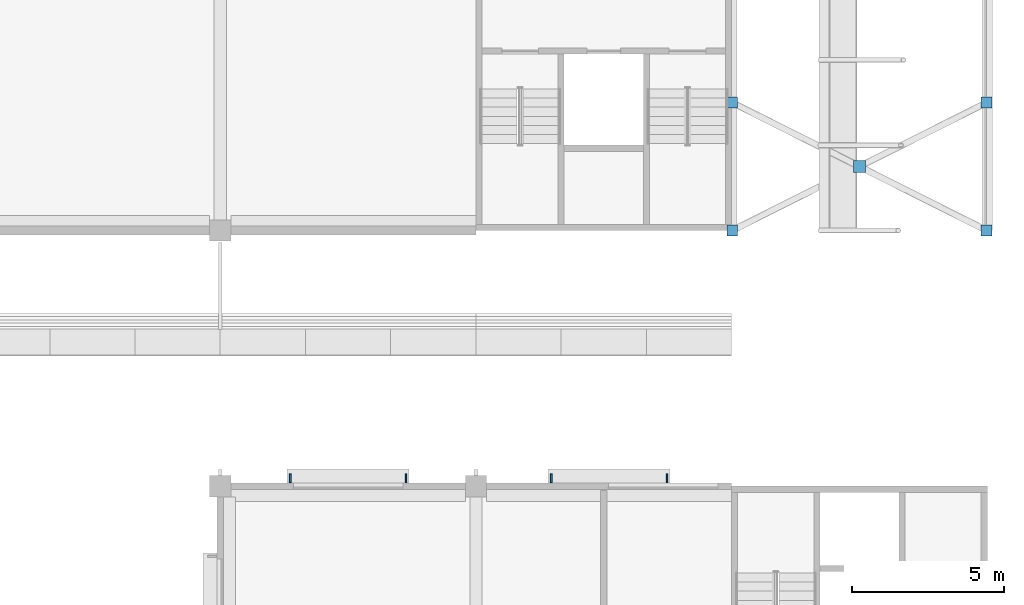
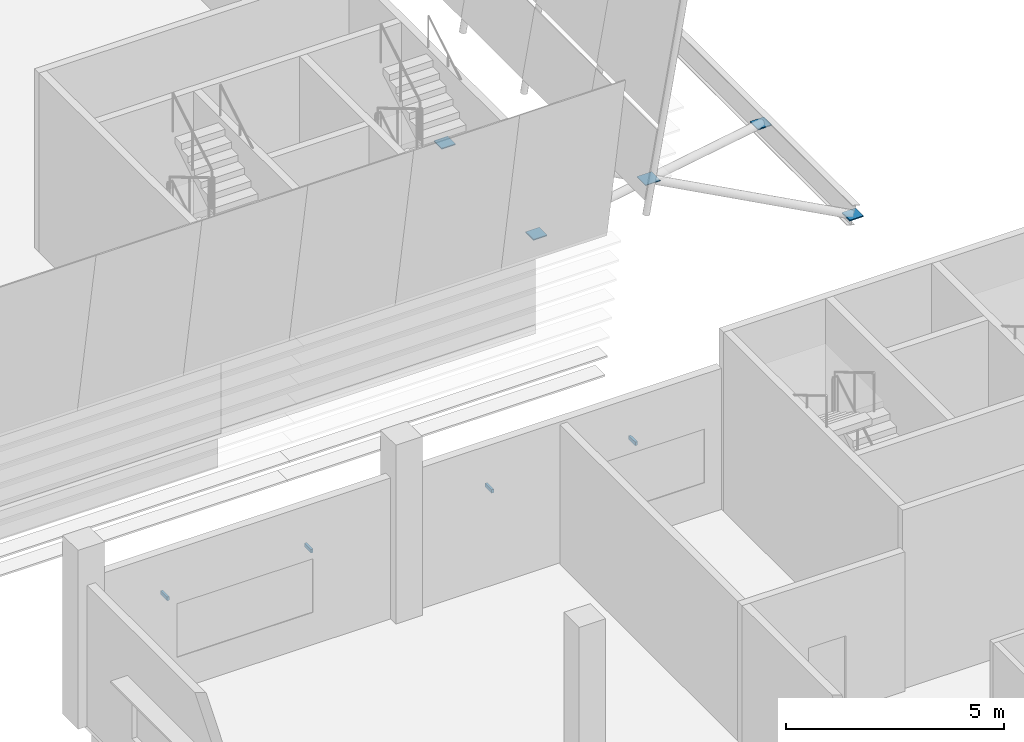
# One storey, part 42 of 82: 9 discrete accessories.
"""IFC4 building model written with IfcOpenShell, lengths in metres."""

from ifc_helpers import new_model, si_unit, direction, frame, origin, origin_2d, place, context, subcontext, project, spatial, rectangle, extrude, material, type_object, element, save


model = new_model("IFC4")

# Units and contexts
model_context = context("Model", 3, precision=1e-05, world=origin(), true_north=direction((0.0, 1.0)))
body_context = subcontext(model_context, "Body", "Model", "MODEL_VIEW")
ifc_project = project(units=[si_unit("LENGTHUNIT", "METRE"), si_unit("AREAUNIT", "SQUARE_METRE"), si_unit("VOLUMEUNIT", "CUBIC_METRE"), si_unit("PLANEANGLEUNIT", "RADIAN"), si_unit("MASSUNIT", "GRAM", prefix="KILO")], contexts=[model_context])

# Site, building, storey
site_placement = place(None, origin())
site = spatial("IfcSite", under=ifc_project, at=site_placement, CompositionType="ELEMENT")
building_placement = place(site_placement, origin())
building = spatial("IfcBuilding", under=site, at=building_placement, Name="Almond Square Museum", CompositionType="ELEMENT")
storey_placement = place(building_placement, frame((0.0, 0.0, 20.0)))
storey = spatial("IfcBuildingStorey", under=building, at=storey_placement, Name="L03", CompositionType="ELEMENT", Elevation=20.0)

# Discrete accessories
ifc_material_1 = material(Name="Structural steel S355", Category="steel")
discrete_accessory_type_1 = type_object("IfcDiscreteAccessoryType", Name="Brace crossing plate", PredefinedType="BRACKET", material=ifc_material_1)
discrete_accessory_placement = place(storey_placement, frame((153.0, 52.5, 1.325927734375), z_axis=(0.0, 0.0, 1.0), x_axis=(1.0, 0.0, 0.0)))
element("IfcDiscreteAccessory", 1, at=discrete_accessory_placement, inside=storey, type_object=discrete_accessory_type_1, Name="Brace crossing plate", PredefinedType="BRACKET", context=body_context, shape_type="SweptSolid", body=[
    extrude(rectangle(XDim=0.39990234375, YDim=0.39990234375, at=origin_2d()), origin(), (0.0, 0.0, 1.0), 0.02001953125),
])
ifc_material_2 = material(Name="Structural steel S355", Category="steel")
discrete_accessory_type_2 = type_object("IfcDiscreteAccessoryType", Name="Brace end plate", PredefinedType="BRACKET", material=ifc_material_2)
for number, where, z_axis, x_axis, name in (
    (2, (148.820068359375, 50.39990234375, 2.51513671875), (0.0, 0.0, 1.0), (1.0, 0.0, 0.0), "Brace end plate"),
    (3, (157.179931640625, 54.60009765625, 0.12646484375), (0.0, 0.0, 1.0), (1.0, 0.0, 0.0), "Brace end plate"),
    (4, (148.820068359375, 54.60009765625, 2.51513671875), (0.0, 0.0, 1.0), (1.0, 0.0, 0.0), "Brace end plate"),
    (5, (157.179931640625, 50.39990234375, 0.12646484375), (0.0, 0.0, 1.0), (1.0, 0.0, 0.0), "Brace end plate"),
):
    element("IfcDiscreteAccessory", number, at=place(storey_placement, frame(where, z_axis=z_axis, x_axis=x_axis)), inside=storey, type_object=discrete_accessory_type_2, Name=name, PredefinedType="BRACKET", context=body_context, shape_type="SweptSolid", body=[
        extrude(rectangle(XDim=0.360107421875, YDim=0.360107421875, at=origin_2d()), origin(), (0.0, 0.0, 1.0), 0.030029296875),
    ])
ifc_material_3 = material(Name="Stainless steel", Category="steel")
discrete_accessory_type_3 = type_object("IfcDiscreteAccessoryType", Name="Sun-shade blade bracket", PredefinedType="BRACKET", material=ifc_material_3)
for number, where, z_axis, x_axis, name in (
    (6, (142.875, 42.258056640625, 2.39697265625), (0.0, 0.0, 1.0), (1.0, 0.0, 0.0), "Bracket sun-shade blade"),
    (7, (146.675048828125, 42.258056640625, 2.39697265625), (0.0, 0.0, 1.0), (1.0, 0.0, 0.0), "Bracket sun-shade blade"),
    (8, (134.300048828125, 42.258056640625, 2.39697265625), (0.0, 0.0, 1.0), (1.0, 0.0, 0.0), "Bracket sun-shade blade"),
    (9, (138.10009765625, 42.258056640625, 2.39697265625), (0.0, 0.0, 1.0), (1.0, 0.0, 0.0), "Bracket sun-shade blade"),
):
    element("IfcDiscreteAccessory", number, at=place(storey_placement, frame(where, z_axis=z_axis, x_axis=x_axis)), inside=storey, type_object=discrete_accessory_type_3, Name=name, PredefinedType="BRACKET", context=body_context, shape_type="SweptSolid", body=[
        extrude(rectangle(XDim=0.06005859375, YDim=0.300048828125, at=origin_2d()), origin(), (0.0, 0.0, 1.0), 0.10009765625),
    ])

save(model, "model.ifc")
